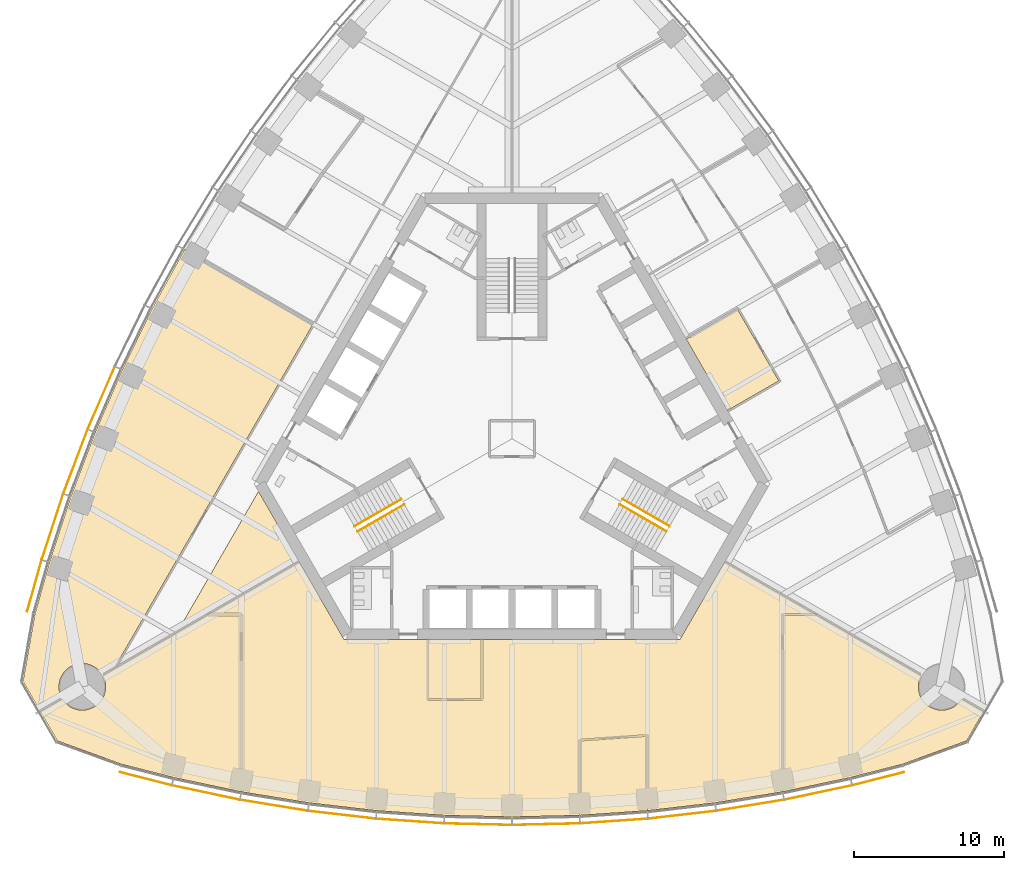
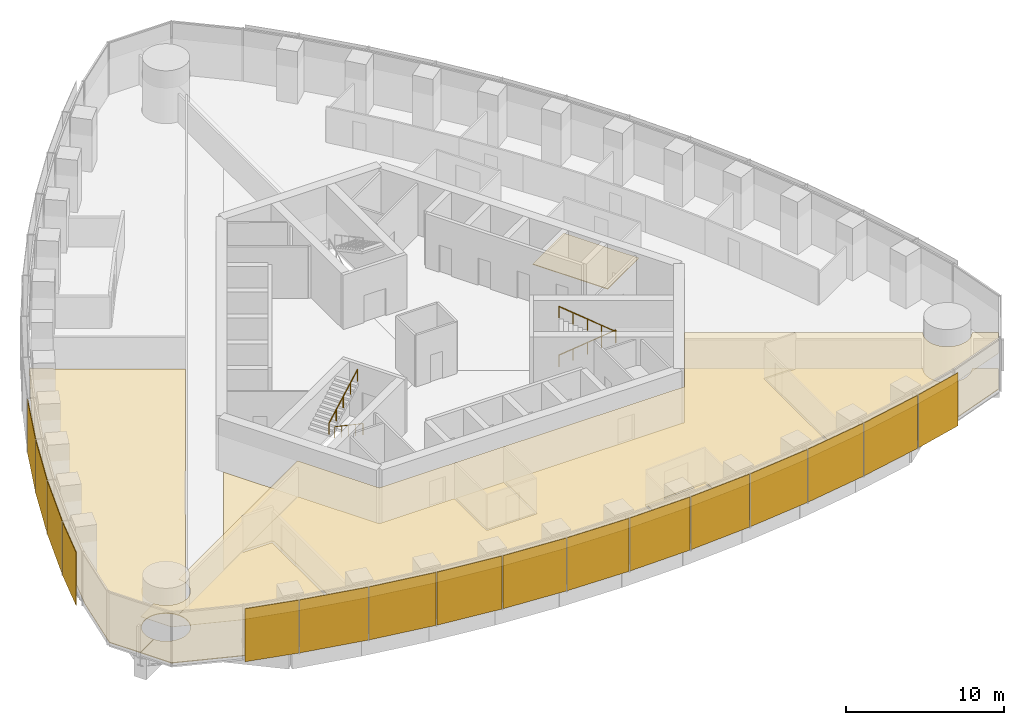
# One storey, part 15 of 19: 16 shading devices, 9 coverings, 4 railings.
"""IFC4 building model written with IfcOpenShell, lengths in metres."""

from ifc_helpers import new_model, si_unit, direction, frame, origin, origin_2d, place, context, subcontext, project, spatial, polyline, rectangle, circle, outline, extrude, material, layer, layer_set, type_object, element, save


model = new_model("IFC4")

# Units and contexts
model_context = context("Model", 3, precision=1e-05, world=origin(), true_north=direction((0.0, 1.0)))
body_context = subcontext(model_context, "Body", "Model", "MODEL_VIEW")
ifc_project = project(units=[si_unit("LENGTHUNIT", "METRE"), si_unit("AREAUNIT", "SQUARE_METRE"), si_unit("VOLUMEUNIT", "CUBIC_METRE"), si_unit("PLANEANGLEUNIT", "RADIAN"), si_unit("MASSUNIT", "GRAM", prefix="KILO")], contexts=[model_context])

# Site, building, storey
site_placement = place(None, origin())
site = spatial("IfcSite", under=ifc_project, at=site_placement, CompositionType="ELEMENT")
building_placement = place(site_placement, origin())
building = spatial("IfcBuilding", under=site, at=building_placement, Name="Trefoil Bronze Tower", CompositionType="ELEMENT")
storey_placement = place(building_placement, frame((0.0, 0.0, 256.89990234375)))
storey = spatial("IfcBuildingStorey", under=building, at=storey_placement, Name="L59", CompositionType="ELEMENT", Elevation=256.89990234375)

# Shading devices
ifc_material_1 = material(Name="Perforated bronze sheet", Category="bronze")
ifc_layer_1 = layer(ifc_material_1, 0.0400390625)
ifc_layer_set_1 = layer_set([ifc_layer_1], Name="Bronze solar screen panel")
shading_device_type = type_object("IfcShadingDeviceType", Name="Bronze solar screen panel", PredefinedType="SHUTTER", material=ifc_layer_set_1)
shading_device_1_placement = place(storey_placement, frame((-24.360107421875, -22.614501953125, 0.050048828125), z_axis=(0.0, 0.0, 1.0), x_axis=(0.968934035393, -0.247319297786, 0.0)))
element("IfcShadingDevice", 1, at=shading_device_1_placement, inside=storey, type_object=shading_device_type, Name="Solar screen CW-A L59 F1 bay 1", PredefinedType="SHUTTER", context=body_context, shape_type="SweptSolid", body=[
    extrude(rectangle(XDim=3.53369140625, YDim=0.0400390625, at=origin_2d()), origin(), (0.0, 0.0, 1.0), 4.10009765625),
])
shading_device_2_placement = place(storey_placement, frame((-20.361572265625, -23.535888671875, 0.050048828125), z_axis=(0.0, 0.0, 1.0), x_axis=(0.978394335897, -0.20674748725, 0.0)))
element("IfcShadingDevice", 2, at=shading_device_2_placement, inside=storey, type_object=shading_device_type, Name="Solar screen CW-A L59 F1 bay 2", PredefinedType="SHUTTER", context=body_context, shape_type="SweptSolid", body=[
    extrude(rectangle(XDim=4.5693359375, YDim=0.0400390625, at=origin_2d()), origin(), (0.0, 0.0, 1.0), 4.10009765625),
])
shading_device_3_placement = place(storey_placement, frame((-15.8369140625, -24.382568359375, 0.050048828125), z_axis=(0.0, 0.0, 1.0), x_axis=(0.986986549528, -0.160802832848, 0.0)))
element("IfcShadingDevice", 3, at=shading_device_3_placement, inside=storey, type_object=shading_device_type, Name="Solar screen CW-A L59 F1 bay 3", PredefinedType="SHUTTER", context=body_context, shape_type="SweptSolid", body=[
    extrude(rectangle(XDim=4.529296875, YDim=0.0400390625, at=origin_2d()), origin(), (0.0, 0.0, 1.0), 4.10009765625),
])
shading_device_4_placement = place(storey_placement, frame((-11.31201171875, -25.0126953125, 0.050048828125), z_axis=(0.0, 0.0, 1.0), x_axis=(0.993381831741, -0.114858767043, 0.0)))
element("IfcShadingDevice", 4, at=shading_device_4_placement, inside=storey, type_object=shading_device_type, Name="Solar screen CW-A L59 F1 bay 4", PredefinedType="SHUTTER", context=body_context, shape_type="SweptSolid", body=[
    extrude(rectangle(XDim=4.5, YDim=0.0400390625, at=origin_2d()), origin(), (0.0, 0.0, 1.0), 4.10009765625),
])
shading_device_5_placement = place(storey_placement, frame((-6.787109375, -25.430419921875, 0.050048828125), z_axis=(0.0, 0.0, 1.0), x_axis=(0.99762252804, -0.068915103905, 0.0)))
element("IfcShadingDevice", 5, at=shading_device_5_placement, inside=storey, type_object=shading_device_type, Name="Solar screen CW-A L59 F1 bay 5", PredefinedType="SHUTTER", context=body_context, shape_type="SweptSolid", body=[
    extrude(rectangle(XDim=4.480712890625, YDim=0.0400390625, at=origin_2d()), origin(), (0.0, 0.0, 1.0), 4.10009765625),
])
for number, where, z_axis, x_axis, name in (
    (6, (-2.262451171875, -25.638671875, 0.050048828125), (0.0, 0.0, 1.0), (0.999736116243, -0.022971675577, 0.0), "Solar screen CW-A L59 F1 bay 6"),
    (7, (2.262451171875, -25.638671875, 0.050048828125), (0.0, 0.0, 1.0), (0.999736116243, 0.022971675577, 0.0), "Solar screen CW-A L59 F1 bay 7"),
):
    element("IfcShadingDevice", number, at=place(storey_placement, frame(where, z_axis=z_axis, x_axis=x_axis)), inside=storey, type_object=shading_device_type, Name=name, PredefinedType="SHUTTER", context=body_context, shape_type="SweptSolid", body=[
        extrude(rectangle(XDim=4.47119140625, YDim=0.0400390625, at=origin_2d()), origin(), (0.0, 0.0, 1.0), 4.10009765625),
    ])
shading_device_6_placement = place(storey_placement, frame((6.787109375, -25.430419921875, 0.050048828125), z_axis=(0.0, 0.0, 1.0), x_axis=(0.99762252804, 0.068915103905, 0.0)))
element("IfcShadingDevice", 8, at=shading_device_6_placement, inside=storey, type_object=shading_device_type, Name="Solar screen CW-A L59 F1 bay 8", PredefinedType="SHUTTER", context=body_context, shape_type="SweptSolid", body=[
    extrude(rectangle(XDim=4.480712890625, YDim=0.0400390625, at=origin_2d()), origin(), (0.0, 0.0, 1.0), 4.10009765625),
])
shading_device_7_placement = place(storey_placement, frame((11.31201171875, -25.0126953125, 0.050048828125), z_axis=(0.0, 0.0, 1.0), x_axis=(0.993381831741, 0.114858767043, 0.0)))
element("IfcShadingDevice", 9, at=shading_device_7_placement, inside=storey, type_object=shading_device_type, Name="Solar screen CW-A L59 F1 bay 9", PredefinedType="SHUTTER", context=body_context, shape_type="SweptSolid", body=[
    extrude(rectangle(XDim=4.5, YDim=0.0400390625, at=origin_2d()), origin(), (0.0, 0.0, 1.0), 4.10009765625),
])
shading_device_8_placement = place(storey_placement, frame((15.8369140625, -24.382568359375, 0.050048828125), z_axis=(0.0, 0.0, 1.0), x_axis=(0.986986549528, 0.160802832848, 0.0)))
element("IfcShadingDevice", 10, at=shading_device_8_placement, inside=storey, type_object=shading_device_type, Name="Solar screen CW-A L59 F1 bay 10", PredefinedType="SHUTTER", context=body_context, shape_type="SweptSolid", body=[
    extrude(rectangle(XDim=4.529296875, YDim=0.0400390625, at=origin_2d()), origin(), (0.0, 0.0, 1.0), 4.10009765625),
])
shading_device_9_placement = place(storey_placement, frame((20.361572265625, -23.535888671875, 0.050048828125), z_axis=(0.0, 0.0, 1.0), x_axis=(0.978394335897, 0.20674748725, 0.0)))
element("IfcShadingDevice", 11, at=shading_device_9_placement, inside=storey, type_object=shading_device_type, Name="Solar screen CW-A L59 F1 bay 11", PredefinedType="SHUTTER", context=body_context, shape_type="SweptSolid", body=[
    extrude(rectangle(XDim=4.5693359375, YDim=0.0400390625, at=origin_2d()), origin(), (0.0, 0.0, 1.0), 4.10009765625),
])
shading_device_10_placement = place(storey_placement, frame((24.360107421875, -22.614501953125, 0.050048828125), z_axis=(0.0, 0.0, 1.0), x_axis=(0.968934035393, 0.247319297786, 0.0)))
element("IfcShadingDevice", 12, at=shading_device_10_placement, inside=storey, type_object=shading_device_type, Name="Solar screen CW-A L59 F1 bay 12", PredefinedType="SHUTTER", context=body_context, shape_type="SweptSolid", body=[
    extrude(rectangle(XDim=3.53369140625, YDim=0.0400390625, at=origin_2d()), origin(), (0.0, 0.0, 1.0), 4.10009765625),
])
shading_device_11_placement = place(storey_placement, frame((-27.317626953125, 2.709716796875, 0.050048828125), z_axis=(0.0, 0.0, 1.0), x_axis=(-0.397220305764, -0.917723285467, 0.0)))
element("IfcShadingDevice", 13, at=shading_device_11_placement, inside=storey, type_object=shading_device_type, Name="Solar screen CW-A L59 F3 bay 9", PredefinedType="SHUTTER", context=body_context, shape_type="SweptSolid", body=[
    extrude(rectangle(XDim=4.5, YDim=0.0400390625, at=origin_2d()), origin(), (0.0, 0.0, 1.0), 4.10009765625),
])
shading_device_12_placement = place(storey_placement, frame((-29.0341796875, -1.52392578125, 0.050048828125), z_axis=(0.0, 0.0, 1.0), x_axis=(-0.354233936517, -0.935156841508, 0.0)))
element("IfcShadingDevice", 14, at=shading_device_12_placement, inside=storey, type_object=shading_device_type, Name="Solar screen CW-A L59 F3 bay 10", PredefinedType="SHUTTER", context=body_context, shape_type="SweptSolid", body=[
    extrude(rectangle(XDim=4.529296875, YDim=0.0400390625, at=origin_2d()), origin(), (0.0, 0.0, 1.0), 4.10009765625),
])
shading_device_13_placement = place(storey_placement, frame((-30.5634765625, -5.86572265625, 0.050048828125), z_axis=(0.0, 0.0, 1.0), x_axis=(-0.310148591821, -0.950688093431, 0.0)))
element("IfcShadingDevice", 15, at=shading_device_13_placement, inside=storey, type_object=shading_device_type, Name="Solar screen CW-A L59 F3 bay 11", PredefinedType="SHUTTER", context=body_context, shape_type="SweptSolid", body=[
    extrude(rectangle(XDim=4.5693359375, YDim=0.0400390625, at=origin_2d()), origin(), (0.0, 0.0, 1.0), 4.10009765625),
])
shading_device_14_placement = place(storey_placement, frame((-31.764892578125, -9.7890625, 0.050048828125), z_axis=(0.0, 0.0, 1.0), x_axis=(-0.270282222968, -0.962781138134, 0.0)))
element("IfcShadingDevice", 16, at=shading_device_14_placement, inside=storey, type_object=shading_device_type, Name="Solar screen CW-A L59 F3 bay 12", PredefinedType="SHUTTER", context=body_context, shape_type="SweptSolid", body=[
    extrude(rectangle(XDim=3.53369140625, YDim=0.0400390625, at=origin_2d()), origin(), (0.0, 0.0, 1.0), 4.10009765625),
])

# Railings
ifc_material_2 = material(Name="Steel handrail", Category="steel")
railing_type = type_object("IfcRailingType", Name="Handrail 900", PredefinedType="HANDRAIL", material=ifc_material_2)
railing_1_placement = place(storey_placement, frame((7.365966796875, -4.021728515625, 0.16162109375)))
element("IfcRailing", 17, at=railing_1_placement, inside=storey, type_object=railing_type, Name="Handrail ST1 flight 1 L59", PredefinedType="HANDRAIL", context=body_context, shape_type="SweptSolid", body=[
    extrude(circle(Radius=0.02392578125, at=origin_2d()), frame((0.0, 0.0, 0.8759765625), z_axis=(0.76250339821, -0.440245697338, 0.474101564745), x_axis=(0.500012057535, 0.866018442252, 0.0)), (0.0, 0.0, 1.0), 4.088623046875),
    extrude(circle(Radius=0.02099609375, at=origin_2d()), origin(), (0.0, 0.0, 1.0), 0.851806640625),
    extrude(circle(Radius=0.02099609375, at=origin_2d()), frame((0.779296875, -0.449951171875, 0.484619140625)), (0.0, 0.0, 1.0), 0.851806640625),
    extrude(circle(Radius=0.02099609375, at=origin_2d()), frame((1.558837890625, -0.89990234375, 0.96923828125)), (0.0, 0.0, 1.0), 0.851806640625),
    extrude(circle(Radius=0.02099609375, at=origin_2d()), frame((2.33837890625, -1.35009765625, 1.453857421875)), (0.0, 0.0, 1.0), 0.851806640625),
    extrude(circle(Radius=0.02099609375, at=origin_2d()), frame((3.11767578125, -1.800048828125, 1.9384765625)), (0.0, 0.0, 1.0), 0.851806640625),
])
railing_2_placement = place(storey_placement, frame((10.28369140625, -6.168212890625, 2.26171875)))
element("IfcRailing", 18, at=railing_2_placement, inside=storey, type_object=railing_type, Name="Handrail ST1 flight 2 L59", PredefinedType="HANDRAIL", context=body_context, shape_type="SweptSolid", body=[
    extrude(circle(Radius=0.02392578125, at=origin_2d()), frame((0.0, 0.0, 0.8759765625), z_axis=(-0.76250339821, 0.440245697338, 0.474101564745), x_axis=(-0.500012057535, -0.866018442252, 0.0)), (0.0, 0.0, 1.0), 4.088623046875),
    extrude(circle(Radius=0.02099609375, at=origin_2d()), origin(), (0.0, 0.0, 1.0), 0.851806640625),
    extrude(circle(Radius=0.02099609375, at=origin_2d()), frame((-0.779296875, 0.449951171875, 0.484619140625)), (0.0, 0.0, 1.0), 0.851806640625),
    extrude(circle(Radius=0.02099609375, at=origin_2d()), frame((-1.558837890625, 0.89990234375, 0.96923828125)), (0.0, 0.0, 1.0), 0.851806640625),
    extrude(circle(Radius=0.02099609375, at=origin_2d()), frame((-2.33837890625, 1.35009765625, 1.453857421875)), (0.0, 0.0, 1.0), 0.851806640625),
    extrude(circle(Radius=0.02099609375, at=origin_2d()), frame((-3.11767578125, 1.800048828125, 1.9384765625)), (0.0, 0.0, 1.0), 0.851806640625),
])
railing_3_placement = place(storey_placement, frame((-7.166015625, -4.3681640625, 0.16162109375)))
element("IfcRailing", 19, at=railing_3_placement, inside=storey, type_object=railing_type, Name="Handrail ST3 flight 1 L59", PredefinedType="HANDRAIL", context=body_context, shape_type="SweptSolid", body=[
    extrude(circle(Radius=0.02392578125, at=origin_2d()), frame((0.0, 0.0, 0.8759765625), z_axis=(-0.76250339821, -0.440245697338, 0.474101564745), x_axis=(0.500012057535, -0.866018442252, 0.0)), (0.0, 0.0, 1.0), 4.088623046875),
    extrude(circle(Radius=0.02099609375, at=origin_2d()), origin(), (0.0, 0.0, 1.0), 0.851806640625),
    extrude(circle(Radius=0.02099609375, at=origin_2d()), frame((-0.779296875, -0.449951171875, 0.484619140625)), (0.0, 0.0, 1.0), 0.851806640625),
    extrude(circle(Radius=0.02099609375, at=origin_2d()), frame((-1.558837890625, -0.89990234375, 0.96923828125)), (0.0, 0.0, 1.0), 0.851806640625),
    extrude(circle(Radius=0.02099609375, at=origin_2d()), frame((-2.33837890625, -1.35009765625, 1.453857421875)), (0.0, 0.0, 1.0), 0.851806640625),
    extrude(circle(Radius=0.02099609375, at=origin_2d()), frame((-3.11767578125, -1.800048828125, 1.9384765625)), (0.0, 0.0, 1.0), 0.851806640625),
])
railing_4_placement = place(storey_placement, frame((-10.483642578125, -5.82177734375, 2.26171875)))
element("IfcRailing", 20, at=railing_4_placement, inside=storey, type_object=railing_type, Name="Handrail ST3 flight 2 L59", PredefinedType="HANDRAIL", context=body_context, shape_type="SweptSolid", body=[
    extrude(circle(Radius=0.02392578125, at=origin_2d()), frame((0.0, 0.0, 0.8759765625), z_axis=(0.76250339821, 0.440245697338, 0.474101564745), x_axis=(-0.500012057535, 0.866018442252, 0.0)), (0.0, 0.0, 1.0), 4.088623046875),
    extrude(circle(Radius=0.02099609375, at=origin_2d()), origin(), (0.0, 0.0, 1.0), 0.851806640625),
    extrude(circle(Radius=0.02099609375, at=origin_2d()), frame((0.779296875, 0.449951171875, 0.484619140625)), (0.0, 0.0, 1.0), 0.851806640625),
    extrude(circle(Radius=0.02099609375, at=origin_2d()), frame((1.558837890625, 0.89990234375, 0.96923828125)), (0.0, 0.0, 1.0), 0.851806640625),
    extrude(circle(Radius=0.02099609375, at=origin_2d()), frame((2.33837890625, 1.35009765625, 1.453857421875)), (0.0, 0.0, 1.0), 0.851806640625),
    extrude(circle(Radius=0.02099609375, at=origin_2d()), frame((3.11767578125, 1.800048828125, 1.9384765625)), (0.0, 0.0, 1.0), 0.851806640625),
])

# Coverings
ifc_material_3 = material(Name="Acoustic ceiling panels", Category="mineral fibre")
ifc_layer_2 = layer(ifc_material_3, 0.02001953125)
ifc_layer_set_2 = layer_set([ifc_layer_2], Name="Office ceiling 20")
covering_type_1 = type_object("IfcCoveringType", Name="Office ceiling 20", PredefinedType="CEILING", material=ifc_layer_set_2)
covering_1_placement = place(storey_placement, frame((0.0, 0.0, 2.900146484375)))
element("IfcCovering", 21, at=covering_1_placement, inside=storey, type_object=covering_type_1, Name="Ceiling L59 PA area F1", PredefinedType="CEILING", context=body_context, shape_type="SweptSolid", body=[
    extrude(outline(polyline([(-29.86767578125, -17.361083984375), (-29.82373046875, -17.42333984375), (-29.777099609375, -17.4833984375), (-29.727294921875, -17.541015625), (-29.6748046875, -17.595947265625), (-29.619873046875, -17.6484375), (-29.56201171875, -17.6982421875), (-29.502197265625, -17.7451171875), (-29.43994140625, -17.788818359375), (-29.375732421875, -17.82958984375), (-29.3095703125, -17.866943359375), (-29.241455078125, -17.901123046875), (-29.172119140625, -17.931884765625), (-29.10107421875, -17.95947265625), (-29.02880859375, -17.9833984375), (-28.95556640625, -18.00341796875), (-28.881103515625, -18.020263671875), (-28.806396484375, -18.033203125), (-28.730712890625, -18.04248046875), (-28.65478515625, -18.048095703125), (-28.578857421875, -18.050048828125), (-28.502685546875, -18.048095703125), (-28.427001953125, -18.04248046875), (-28.351318359375, -18.033203125), (-28.2763671875, -18.020263671875), (-28.2021484375, -18.00341796875), (-28.12890625, -17.9833984375), (-28.056640625, -17.95947265625), (-27.985595703125, -17.931884765625), (-27.916015625, -17.901123046875), (-27.84814453125, -17.866943359375), (-27.781982421875, -17.82958984375), (-27.7177734375, -17.788818359375), (-27.655517578125, -17.7451171875), (-27.595458984375, -17.6982421875), (-27.537841796875, -17.6484375), (-27.48291015625, -17.595947265625), (-27.430419921875, -17.541015625), (-27.380615234375, -17.4833984375), (-27.333984375, -17.42333984375), (-27.2900390625, -17.361083984375), (-27.24951171875, -17.296875), (-27.2119140625, -17.230712890625), (-27.177734375, -17.16259765625), (-27.146728515625, -17.09326171875), (-27.119384765625, -17.022216796875), (-27.095703125, -16.949951171875), (-27.0751953125, -16.876708984375), (-27.05859375, -16.802490234375), (-27.045654296875, -16.727294921875), (-27.036376953125, -16.65185546875), (-27.03076171875, -16.576171875), (-27.02880859375, -16.5), (-27.03076171875, -16.423828125), (-27.036376953125, -16.34814453125), (-27.045654296875, -16.272705078125), (-27.05859375, -16.197509765625), (-27.0751953125, -16.123291015625), (-27.095703125, -16.050048828125), (-27.119384765625, -15.977783203125), (-27.146728515625, -15.90673828125), (-27.177734375, -15.83740234375), (-27.2119140625, -15.769287109375), (-27.23095703125, -15.735595703125), (-14.156494140625, -8.180419921875), (-11.171630859375, -13.35009765625), (11.171630859375, -13.35009765625), (14.156494140625, -8.180419921875), (27.23095703125, -15.735595703125), (27.2119140625, -15.769287109375), (27.177734375, -15.83740234375), (27.146728515625, -15.90673828125), (27.119384765625, -15.977783203125), (27.095703125, -16.050048828125), (27.0751953125, -16.123291015625), (27.05859375, -16.197509765625), (27.045654296875, -16.272705078125), (27.036376953125, -16.34814453125), (27.03076171875, -16.423828125), (27.02880859375, -16.5), (27.03076171875, -16.576171875), (27.036376953125, -16.65185546875), (27.045654296875, -16.727294921875), (27.05859375, -16.802490234375), (27.0751953125, -16.876708984375), (27.095703125, -16.949951171875), (27.119384765625, -17.022216796875), (27.146728515625, -17.09326171875), (27.177734375, -17.16259765625), (27.2119140625, -17.230712890625), (27.24951171875, -17.296875), (27.2900390625, -17.361083984375), (27.333984375, -17.42333984375), (27.380615234375, -17.4833984375), (27.430419921875, -17.541015625), (27.48291015625, -17.595947265625), (27.537841796875, -17.6484375), (27.595458984375, -17.6982421875), (27.655517578125, -17.7451171875), (27.7177734375, -17.788818359375), (27.781982421875, -17.82958984375), (27.84814453125, -17.866943359375), (27.916015625, -17.901123046875), (27.985595703125, -17.931884765625), (28.056640625, -17.95947265625), (28.12890625, -17.9833984375), (28.2021484375, -18.00341796875), (28.2763671875, -18.020263671875), (28.351318359375, -18.033203125), (28.427001953125, -18.04248046875), (28.502685546875, -18.048095703125), (28.578857421875, -18.050048828125), (28.65478515625, -18.048095703125), (28.730712890625, -18.04248046875), (28.806396484375, -18.033203125), (28.881103515625, -18.020263671875), (28.95556640625, -18.00341796875), (29.02880859375, -17.9833984375), (29.10107421875, -17.95947265625), (29.172119140625, -17.931884765625), (29.241455078125, -17.901123046875), (29.3095703125, -17.866943359375), (29.375732421875, -17.82958984375), (29.43994140625, -17.788818359375), (29.502197265625, -17.7451171875), (29.56201171875, -17.6982421875), (29.619873046875, -17.6484375), (29.6748046875, -17.595947265625), (29.727294921875, -17.541015625), (29.777099609375, -17.4833984375), (29.82373046875, -17.42333984375), (29.86767578125, -17.361083984375), (29.914306640625, -17.2861328125), (31.37158203125, -18.1279296875), (30.23828125, -20.0908203125), (25.952880859375, -21.650634765625), (22.5, -22.531982421875), (18.0, -23.48291015625), (13.5, -24.216064453125), (9.0, -24.736328125), (4.5, -25.047119140625), (0.0, -25.150634765625), (-4.5, -25.047119140625), (-9.0, -24.736328125), (-13.5, -24.216064453125), (-18.0, -23.48291015625), (-22.5, -22.531982421875), (-25.952880859375, -21.650634765625), (-30.23828125, -20.0908203125), (-31.37158203125, -18.1279296875), (-29.914306640625, -17.2861328125), (-29.86767578125, -17.361083984375)])), origin(), (0.0, 0.0, 1.0), 0.02001953125),
])
ifc_material_4 = material(Name="Raised access floor panels", Category="steel")
ifc_layer_3 = layer(ifc_material_4, 0.050048828125)
ifc_layer_set_3 = layer_set([ifc_layer_3], Name="Raised access floor 150")
covering_type_2 = type_object("IfcCoveringType", Name="Raised access floor 150", PredefinedType="FLOORING", material=ifc_layer_set_3)
covering_2_placement = place(storey_placement, frame((0.0, 0.0, 0.10009765625)))
element("IfcCovering", 22, at=covering_2_placement, inside=storey, type_object=covering_type_2, Name="Raised floor L59 Chairman's office F1", PredefinedType="FLOORING", context=body_context, shape_type="SweptSolid", body=[
    extrude(outline(polyline([(25.952880859375, -21.650634765625), (22.5, -22.531982421875), (18.0, -23.48291015625), (18.0, -21.926513671875), (18.06005859375, -21.926513671875), (18.06005859375, -11.75), (20.230224609375, -11.75), (20.230224609375, -11.68994140625), (27.23095703125, -15.735595703125), (27.2119140625, -15.769287109375), (27.177734375, -15.83740234375), (27.146728515625, -15.90673828125), (27.119384765625, -15.977783203125), (27.095703125, -16.050048828125), (27.0751953125, -16.123291015625), (27.05859375, -16.197509765625), (27.045654296875, -16.272705078125), (27.036376953125, -16.34814453125), (27.03076171875, -16.423828125), (27.02880859375, -16.5), (27.03076171875, -16.576171875), (27.036376953125, -16.65185546875), (27.045654296875, -16.727294921875), (27.05859375, -16.802490234375), (27.0751953125, -16.876708984375), (27.095703125, -16.949951171875), (27.119384765625, -17.022216796875), (27.146728515625, -17.09326171875), (27.177734375, -17.16259765625), (27.2119140625, -17.230712890625), (27.24951171875, -17.296875), (27.2900390625, -17.361083984375), (27.333984375, -17.42333984375), (27.380615234375, -17.4833984375), (27.430419921875, -17.541015625), (27.48291015625, -17.595947265625), (27.537841796875, -17.6484375), (27.595458984375, -17.6982421875), (27.655517578125, -17.7451171875), (27.7177734375, -17.788818359375), (27.781982421875, -17.82958984375), (27.84814453125, -17.866943359375), (27.916015625, -17.901123046875), (27.985595703125, -17.931884765625), (28.056640625, -17.95947265625), (28.12890625, -17.9833984375), (28.2021484375, -18.00341796875), (28.2763671875, -18.020263671875), (28.351318359375, -18.033203125), (28.427001953125, -18.04248046875), (28.502685546875, -18.048095703125), (28.578857421875, -18.050048828125), (28.65478515625, -18.048095703125), (28.730712890625, -18.04248046875), (28.806396484375, -18.033203125), (28.881103515625, -18.020263671875), (28.95556640625, -18.00341796875), (29.02880859375, -17.9833984375), (29.10107421875, -17.95947265625), (29.172119140625, -17.931884765625), (29.241455078125, -17.901123046875), (29.3095703125, -17.866943359375), (29.375732421875, -17.82958984375), (29.43994140625, -17.788818359375), (29.502197265625, -17.7451171875), (29.56201171875, -17.6982421875), (29.619873046875, -17.6484375), (29.6748046875, -17.595947265625), (29.727294921875, -17.541015625), (29.777099609375, -17.4833984375), (29.82373046875, -17.42333984375), (29.86767578125, -17.361083984375), (29.914306640625, -17.2861328125), (31.37158203125, -18.1279296875), (30.23828125, -20.0908203125), (25.952880859375, -21.650634765625)])), origin(), (0.0, 0.0, 1.0), 0.050048828125),
])
covering_3_placement = place(storey_placement, frame((0.0, 0.0, 0.10009765625)))
element("IfcCovering", 23, at=covering_3_placement, inside=storey, type_object=covering_type_2, Name="Raised floor L59 Private dining room F1", PredefinedType="FLOORING", context=body_context, shape_type="SweptSolid", body=[
    extrude(outline(polyline([(-27.2119140625, -15.769287109375), (-27.23095703125, -15.735595703125), (-20.230224609375, -11.68994140625), (-20.230224609375, -11.7900390625), (-18.10009765625, -11.7900390625), (-18.10009765625, -21.926513671875), (-18.0, -21.926513671875), (-18.0, -23.48291015625), (-22.5, -22.531982421875), (-25.952880859375, -21.650634765625), (-30.23828125, -20.0908203125), (-31.37158203125, -18.1279296875), (-29.914306640625, -17.2861328125), (-29.86767578125, -17.361083984375), (-29.82373046875, -17.42333984375), (-29.777099609375, -17.4833984375), (-29.727294921875, -17.541015625), (-29.6748046875, -17.595947265625), (-29.619873046875, -17.6484375), (-29.56201171875, -17.6982421875), (-29.502197265625, -17.7451171875), (-29.43994140625, -17.788818359375), (-29.375732421875, -17.82958984375), (-29.3095703125, -17.866943359375), (-29.241455078125, -17.901123046875), (-29.172119140625, -17.931884765625), (-29.10107421875, -17.95947265625), (-29.02880859375, -17.9833984375), (-28.95556640625, -18.00341796875), (-28.881103515625, -18.020263671875), (-28.806396484375, -18.033203125), (-28.730712890625, -18.04248046875), (-28.65478515625, -18.048095703125), (-28.578857421875, -18.050048828125), (-28.502685546875, -18.048095703125), (-28.427001953125, -18.04248046875), (-28.351318359375, -18.033203125), (-28.2763671875, -18.020263671875), (-28.2021484375, -18.00341796875), (-28.12890625, -17.9833984375), (-28.056640625, -17.95947265625), (-27.985595703125, -17.931884765625), (-27.916015625, -17.901123046875), (-27.84814453125, -17.866943359375), (-27.781982421875, -17.82958984375), (-27.7177734375, -17.788818359375), (-27.655517578125, -17.7451171875), (-27.595458984375, -17.6982421875), (-27.537841796875, -17.6484375), (-27.48291015625, -17.595947265625), (-27.430419921875, -17.541015625), (-27.380615234375, -17.4833984375), (-27.333984375, -17.42333984375), (-27.2900390625, -17.361083984375), (-27.24951171875, -17.296875), (-27.2119140625, -17.230712890625), (-27.177734375, -17.16259765625), (-27.146728515625, -17.09326171875), (-27.119384765625, -17.022216796875), (-27.095703125, -16.949951171875), (-27.0751953125, -16.876708984375), (-27.05859375, -16.802490234375), (-27.045654296875, -16.727294921875), (-27.036376953125, -16.65185546875), (-27.03076171875, -16.576171875), (-27.02880859375, -16.5), (-27.03076171875, -16.423828125), (-27.036376953125, -16.34814453125), (-27.045654296875, -16.272705078125), (-27.05859375, -16.197509765625), (-27.0751953125, -16.123291015625), (-27.095703125, -16.050048828125), (-27.119384765625, -15.977783203125), (-27.146728515625, -15.90673828125), (-27.177734375, -15.83740234375), (-27.2119140625, -15.769287109375)])), origin(), (0.0, 0.0, 1.0), 0.050048828125),
])
covering_4_placement = place(storey_placement, frame((0.0, 0.0, 0.10009765625)))
element("IfcCovering", 24, at=covering_4_placement, inside=storey, type_object=covering_type_2, Name="Raised floor L59 Meeting room F1", PredefinedType="FLOORING", context=body_context, shape_type="SweptSolid", body=[
    extrude(outline(polyline([(-2.06005859375, -13.35009765625), (-2.06005859375, -17.2900390625), (-5.5400390625, -17.2900390625), (-5.5400390625, -13.35009765625), (-2.06005859375, -13.35009765625)])), origin(), (0.0, 0.0, 1.0), 0.050048828125),
])
covering_5_placement = place(storey_placement, frame((0.0, 0.0, 0.10009765625)))
element("IfcCovering", 25, at=covering_5_placement, inside=storey, type_object=covering_type_2, Name="Raised floor L59 Servery F1", PredefinedType="FLOORING", context=body_context, shape_type="SweptSolid", body=[
    extrude(outline(polyline([(9.0, -24.736328125), (4.5, -25.047119140625), (4.5, -23.515625), (4.56005859375, -23.515625), (4.56005859375, -20.103271484375), (8.93994140625, -19.80078125), (8.93994140625, -23.199951171875), (9.0, -23.199951171875), (9.0, -24.736328125)])), origin(), (0.0, 0.0, 1.0), 0.050048828125),
])
covering_6_placement = place(storey_placement, frame((0.0, 0.0, 0.10009765625)))
element("IfcCovering", 26, at=covering_6_placement, inside=storey, type_object=covering_type_2, Name="Raised floor L59 PA area F1", PredefinedType="FLOORING", context=body_context, shape_type="SweptSolid", body=[
    extrude(outline(polyline([(-11.171630859375, -13.35009765625), (-5.659912109375, -13.35009765625), (-5.659912109375, -17.35009765625), (-5.60009765625, -17.35009765625), (-5.60009765625, -17.409912109375), (-2.0, -17.409912109375), (-2.0, -17.35009765625), (-1.93994140625, -17.35009765625), (-1.93994140625, -13.35009765625), (11.171630859375, -13.35009765625), (14.156494140625, -8.180419921875), (20.126220703125, -11.6298828125), (18.0, -11.6298828125), (18.0, -11.68994140625), (17.93994140625, -11.68994140625), (17.93994140625, -21.926513671875), (18.0, -21.926513671875), (18.0, -23.48291015625), (13.5, -24.216064453125), (9.0, -24.736328125), (9.0, -23.199951171875), (9.06005859375, -23.199951171875), (9.06005859375, -19.736328125), (9.0, -19.736328125), (8.995849609375, -19.676513671875), (4.495849609375, -19.9873046875), (4.5, -20.047119140625), (4.43994140625, -20.047119140625), (4.43994140625, -23.515625), (4.5, -23.515625), (4.5, -25.047119140625), (0.0, -25.150634765625), (-4.5, -25.047119140625), (-9.0, -24.736328125), (-13.5, -24.216064453125), (-18.0, -23.48291015625), (-18.0, -21.926513671875), (-17.89990234375, -21.926513671875), (-17.89990234375, -11.68994140625), (-18.0, -11.68994140625), (-18.0, -11.590087890625), (-20.05712890625, -11.590087890625), (-14.156494140625, -8.180419921875), (-11.171630859375, -13.35009765625)])), origin(), (0.0, 0.0, 1.0), 0.050048828125),
])
covering_7_placement = place(storey_placement, frame((0.0, 0.0, 0.10009765625)))
element("IfcCovering", 27, at=covering_7_placement, inside=storey, type_object=covering_type_2, Name="Raised floor L59 Meeting room F2", PredefinedType="FLOORING", context=body_context, shape_type="SweptSolid", body=[
    extrude(outline(polyline([(11.59130859375, 6.623046875), (15.003662109375, 8.593017578125), (17.74365234375, 3.84716796875), (14.331298828125, 1.877197265625), (11.59130859375, 6.623046875)])), origin(), (0.0, 0.0, 1.0), 0.050048828125),
])
covering_8_placement = place(storey_placement, frame((0.0, 0.0, 0.10009765625)))
element("IfcCovering", 28, at=covering_8_placement, inside=storey, type_object=covering_type_2, Name="Raised floor L59 PA area F3", PredefinedType="FLOORING", context=body_context, shape_type="SweptSolid", body=[
    extrude(outline(polyline([(-27.7216796875, 0.416748046875), (-25.92236328125, 4.573974609375), (-23.94140625, 8.62646484375), (-21.781494140625, 12.574462890625), (-20.45654296875, 11.8095703125), (-20.49365234375, 11.745361328125), (-13.26171875, 7.570068359375), (-26.380126953125, -15.151611328125), (-26.322998046875, -15.1845703125), (-27.24267578125, -15.71484375), (-27.2900390625, -15.638916015625), (-27.333984375, -15.57666015625), (-27.380615234375, -15.5166015625), (-27.430419921875, -15.458984375), (-27.48291015625, -15.404052734375), (-27.537841796875, -15.3515625), (-27.595458984375, -15.3017578125), (-27.655517578125, -15.2548828125), (-27.7177734375, -15.211181640625), (-27.781982421875, -15.17041015625), (-27.84814453125, -15.133056640625), (-27.916015625, -15.098876953125), (-27.985595703125, -15.068115234375), (-28.056640625, -15.04052734375), (-28.12890625, -15.0166015625), (-28.2021484375, -14.99658203125), (-28.2763671875, -14.979736328125), (-28.351318359375, -14.966796875), (-28.427001953125, -14.95751953125), (-28.502685546875, -14.951904296875), (-28.578857421875, -14.949951171875), (-28.65478515625, -14.951904296875), (-28.730712890625, -14.95751953125), (-28.806396484375, -14.966796875), (-28.881103515625, -14.979736328125), (-28.95556640625, -14.99658203125), (-29.02880859375, -15.0166015625), (-29.10107421875, -15.04052734375), (-29.172119140625, -15.068115234375), (-29.241455078125, -15.098876953125), (-29.3095703125, -15.133056640625), (-29.375732421875, -15.17041015625), (-29.43994140625, -15.211181640625), (-29.502197265625, -15.2548828125), (-29.56201171875, -15.3017578125), (-29.619873046875, -15.3515625), (-29.6748046875, -15.404052734375), (-29.727294921875, -15.458984375), (-29.777099609375, -15.5166015625), (-29.82373046875, -15.57666015625), (-29.86767578125, -15.638916015625), (-29.908203125, -15.703125), (-29.94580078125, -15.769287109375), (-29.97998046875, -15.83740234375), (-30.010986328125, -15.90673828125), (-30.0380859375, -15.977783203125), (-30.06201171875, -16.050048828125), (-30.08251953125, -16.123291015625), (-30.09912109375, -16.197509765625), (-30.112060546875, -16.272705078125), (-30.121337890625, -16.34814453125), (-30.126953125, -16.423828125), (-30.12890625, -16.5), (-30.126953125, -16.576171875), (-30.121337890625, -16.65185546875), (-30.112060546875, -16.727294921875), (-30.09912109375, -16.802490234375), (-30.08251953125, -16.876708984375), (-30.06201171875, -16.949951171875), (-30.0380859375, -17.022216796875), (-30.010986328125, -17.09326171875), (-29.97998046875, -17.16259765625), (-29.94580078125, -17.230712890625), (-29.92724609375, -17.263427734375), (-31.385009765625, -18.1044921875), (-32.518310546875, -16.1416015625), (-31.7265625, -11.650634765625), (-30.76318359375, -8.219482421875), (-29.3369140625, -3.846923828125), (-27.7216796875, 0.416748046875)])), origin(), (0.0, 0.0, 1.0), 0.050048828125),
])
covering_9_placement = place(storey_placement, frame((0.0, 0.0, 0.10009765625)))
element("IfcCovering", 29, at=covering_9_placement, inside=storey, type_object=covering_type_2, Name="Raised floor L59 PA area F3", PredefinedType="FLOORING", context=body_context, shape_type="SweptSolid", body=[
    extrude(outline(polyline([(-14.16259765625, -8.169677734375), (-22.247314453125, -12.833251953125), (-16.858642578125, -3.5), (-14.16259765625, -8.169677734375)])), origin(), (0.0, 0.0, 1.0), 0.050048828125),
])

save(model, "model.ifc")
